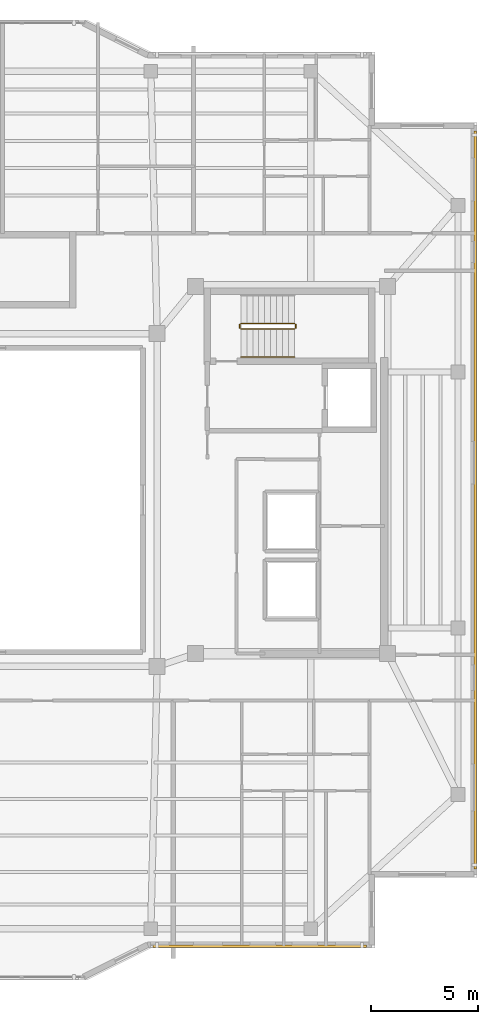
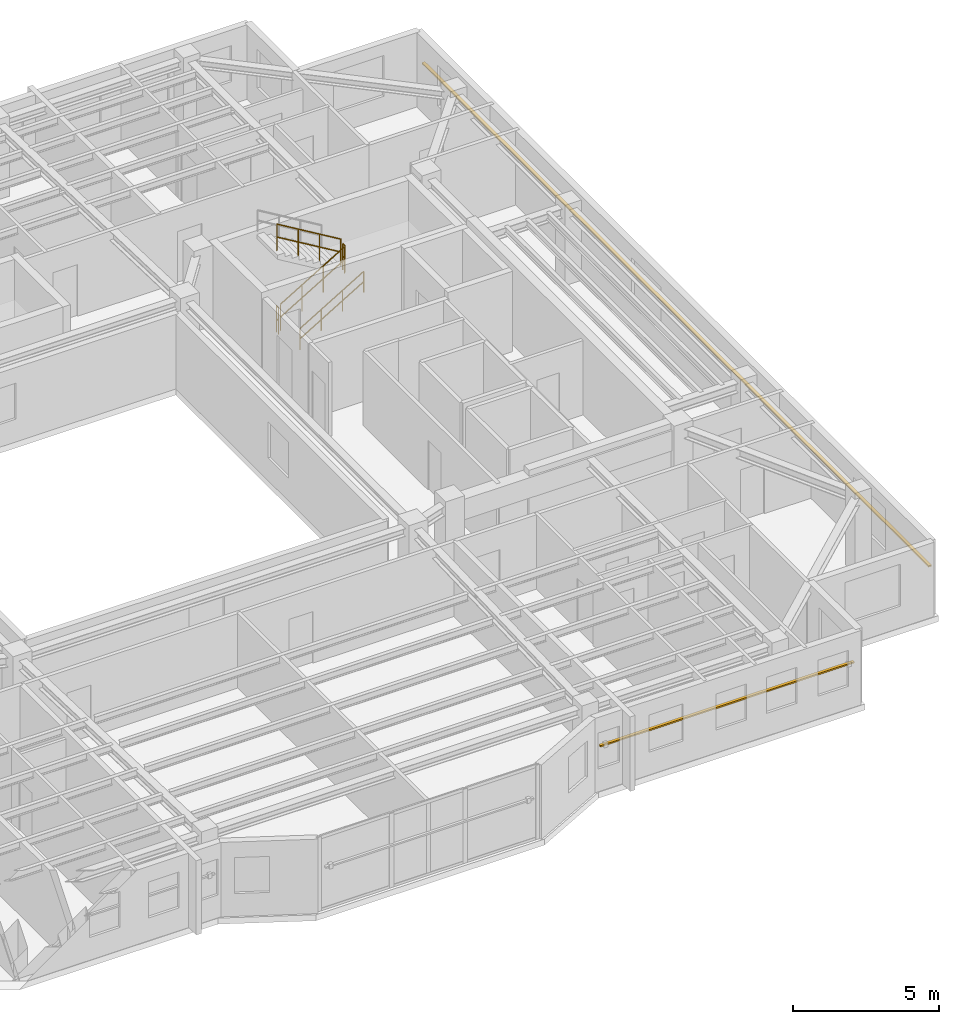
# One storey, part 13 of 14: 5 railings, 2 shading devices.
"""IFC4 building model written with IfcOpenShell, lengths in metres."""

from ifc_helpers import new_model, si_unit, direction, frame, origin, origin_2d, place, context, subcontext, project, spatial, rectangle, circle, extrude, material, material_profile, profile_set, type_object, element, save


model = new_model("IFC4")

# Units and contexts
model_context = context("Model", 3, precision=1e-05, world=origin(), true_north=direction((0.0, 1.0)))
body_context = subcontext(model_context, "Body", "Model", "MODEL_VIEW")
ifc_project = project(units=[si_unit("LENGTHUNIT", "METRE"), si_unit("AREAUNIT", "SQUARE_METRE"), si_unit("VOLUMEUNIT", "CUBIC_METRE"), si_unit("PLANEANGLEUNIT", "RADIAN"), si_unit("MASSUNIT", "GRAM", prefix="KILO")], contexts=[model_context])

# Site, building, storey
site_placement = place(None, origin())
site = spatial("IfcSite", under=ifc_project, at=site_placement, CompositionType="ELEMENT")
building_placement = place(site_placement, origin())
building = spatial("IfcBuilding", under=site, at=building_placement, Name="Tarnavaz Court Tower", CompositionType="ELEMENT")
storey_placement = place(building_placement, frame((0.0, 0.0, 254.89990234375)))
storey = spatial("IfcBuildingStorey", under=building, at=storey_placement, Name="L69", CompositionType="ELEMENT", Elevation=254.89990234375)

# Railings
ifc_material_1 = material(Name="Brushed Stainless Steel", Category="steel")
railing_type_1 = type_object("IfcRailingType", Name="RL-HANDRAIL-900", PredefinedType="HANDRAIL", material=ifc_material_1)
railing_1_placement = place(storey_placement, frame((11.719970703125, 6.699951171875, 0.16748046875)))
element("IfcRailing", 1, at=railing_1_placement, inside=storey, type_object=railing_type_1, Name="L69 ST-E1 stair handrail 1", PredefinedType="HANDRAIL", context=body_context, shape_type="SweptSolid", body=[
    extrude(circle(Radius=0.02392578125, at=origin_2d()), frame((0.0, 0.0, 0.8759765625), z_axis=(0.858159760407, 0.0, 0.513382728203), x_axis=(0.0, 1.0, 0.0)), (0.0, 0.0, 1.0), 2.9365234375),
    extrude(circle(Radius=0.02392578125, at=origin_2d()), frame((0.0, 0.0, 0.449951171875), z_axis=(0.858159760407, 0.0, 0.513382728203), x_axis=(0.0, 1.0, 0.0)), (0.0, 0.0, 1.0), 2.9365234375),
    extrude(circle(Radius=0.02099609375, at=origin_2d()), origin(), (0.0, 0.0, 1.0), 0.851806640625),
    extrude(circle(Radius=0.02099609375, at=origin_2d()), frame((0.840087890625, 0.0, 0.50244140625)), (0.0, 0.0, 1.0), 0.851806640625),
    extrude(circle(Radius=0.02099609375, at=origin_2d()), frame((1.679931640625, 0.0, 1.005126953125)), (0.0, 0.0, 1.0), 0.851806640625),
    extrude(circle(Radius=0.02099609375, at=origin_2d()), frame((2.52001953125, 0.0, 1.507568359375)), (0.0, 0.0, 1.0), 0.851806640625),
])
ifc_material_2 = material(Name="Galvanized Painted Tubular Steel", Category="steel")
railing_type_2 = type_object("IfcRailingType", Name="RL-STGUARD-1120", PredefinedType="GUARDRAIL", material=ifc_material_2)
railing_2_placement = place(storey_placement, frame((11.719970703125, 8.02001953125, 0.16748046875)))
element("IfcRailing", 2, at=railing_2_placement, inside=storey, type_object=railing_type_2, Name="L69 ST-E1 stair guard 1", PredefinedType="GUARDRAIL", context=body_context, shape_type="SweptSolid", body=[
    extrude(circle(Radius=0.02392578125, at=origin_2d()), frame((0.0, 0.0, 1.09619140625), z_axis=(0.858159760407, 0.0, 0.513382728203), x_axis=(0.0, 1.0, 0.0)), (0.0, 0.0, 1.0), 2.9365234375),
    extrude(circle(Radius=0.02392578125, at=origin_2d()), frame((0.0, 0.0, 0.56005859375), z_axis=(0.858159760407, 0.0, 0.513382728203), x_axis=(0.0, 1.0, 0.0)), (0.0, 0.0, 1.0), 2.9365234375),
    extrude(circle(Radius=0.02099609375, at=origin_2d()), origin(), (0.0, 0.0, 1.0), 1.072021484375),
    extrude(circle(Radius=0.02099609375, at=origin_2d()), frame((0.840087890625, 0.0, 0.50244140625)), (0.0, 0.0, 1.0), 1.072021484375),
    extrude(circle(Radius=0.02099609375, at=origin_2d()), frame((1.679931640625, 0.0, 1.005126953125)), (0.0, 0.0, 1.0), 1.072021484375),
    extrude(circle(Radius=0.02099609375, at=origin_2d()), frame((2.52001953125, 0.0, 1.507568359375)), (0.0, 0.0, 1.0), 1.072021484375),
])
railing_3_placement = place(storey_placement, frame((14.2900390625, 8.070068359375, 1.675048828125)))
element("IfcRailing", 3, at=railing_3_placement, inside=storey, type_object=railing_type_2, Name="L69 ST-E1 stair guard 2", PredefinedType="GUARDRAIL", context=body_context, shape_type="SweptSolid", body=[
    extrude(circle(Radius=0.02392578125, at=origin_2d()), frame((0.0, 0.0, 1.09619140625), z_axis=(0.0, 1.0, 0.0), x_axis=(-1.0, 0.0, 0.0)), (0.0, 0.0, 1.0), 0.14990234375),
    extrude(circle(Radius=0.02392578125, at=origin_2d()), frame((0.0, 0.0, 0.56005859375), z_axis=(0.0, 1.0, 0.0), x_axis=(-1.0, 0.0, 0.0)), (0.0, 0.0, 1.0), 0.14990234375),
    extrude(circle(Radius=0.02099609375, at=origin_2d()), origin(), (0.0, 0.0, 1.0), 1.072021484375),
    extrude(circle(Radius=0.02099609375, at=origin_2d()), frame((0.0, 0.14990234375, 0.0)), (0.0, 0.0, 1.0), 1.072021484375),
])
railing_4_placement = place(storey_placement, frame((14.239990234375, 8.27001953125, 1.842529296875)))
element("IfcRailing", 4, at=railing_4_placement, inside=storey, type_object=railing_type_2, Name="L69 ST-E1 stair guard 3", PredefinedType="GUARDRAIL", context=body_context, shape_type="SweptSolid", body=[
    extrude(circle(Radius=0.02392578125, at=origin_2d()), frame((0.0, 0.0, 1.09619140625), z_axis=(-0.858159760407, 0.0, 0.513382728203), x_axis=(0.0, -1.0, 0.0)), (0.0, 0.0, 1.0), 2.9365234375),
    extrude(circle(Radius=0.02392578125, at=origin_2d()), frame((0.0, 0.0, 0.56005859375), z_axis=(-0.858159760407, 0.0, 0.513382728203), x_axis=(0.0, -1.0, 0.0)), (0.0, 0.0, 1.0), 2.9365234375),
    extrude(circle(Radius=0.02099609375, at=origin_2d()), origin(), (0.0, 0.0, 1.0), 1.072021484375),
    extrude(circle(Radius=0.02099609375, at=origin_2d()), frame((-0.840087890625, 0.0, 0.50244140625)), (0.0, 0.0, 1.0), 1.072021484375),
    extrude(circle(Radius=0.02099609375, at=origin_2d()), frame((-1.679931640625, 0.0, 1.005126953125)), (0.0, 0.0, 1.0), 1.072021484375),
    extrude(circle(Radius=0.02099609375, at=origin_2d()), frame((-2.52001953125, 0.0, 1.507568359375)), (0.0, 0.0, 1.0), 1.072021484375),
])
railing_5_placement = place(storey_placement, frame((11.669921875, 8.070068359375, 0.0)))
element("IfcRailing", 5, at=railing_5_placement, inside=storey, type_object=railing_type_2, Name="L69 ST-E1 stair guard 4", PredefinedType="GUARDRAIL", context=body_context, shape_type="SweptSolid", body=[
    extrude(circle(Radius=0.02392578125, at=origin_2d()), frame((0.0, 0.0, 1.09619140625), z_axis=(0.0, 1.0, 0.0), x_axis=(-1.0, 0.0, 0.0)), (0.0, 0.0, 1.0), 0.14990234375),
    extrude(circle(Radius=0.02392578125, at=origin_2d()), frame((0.0, 0.0, 0.56005859375), z_axis=(0.0, 1.0, 0.0), x_axis=(-1.0, 0.0, 0.0)), (0.0, 0.0, 1.0), 0.14990234375),
    extrude(circle(Radius=0.02099609375, at=origin_2d()), origin(), (0.0, 0.0, 1.0), 1.072021484375),
    extrude(circle(Radius=0.02099609375, at=origin_2d()), frame((0.0, 0.14990234375, 0.0)), (0.0, 0.0, 1.0), 1.072021484375),
])

# Shading devices
ifc_material_3 = material(Name="Kiln-Fired Khorasan Terracotta Ceramic", Category="masonry")
ifc_material_profile = material_profile(ifc_material_3, rectangle(XDim=0.1201171875, YDim=0.06005859375, at=origin_2d()), Name="TC BAGUETTE 120X60")
ifc_profile_set = profile_set([ifc_material_profile], Name="Kiln-Fired Khorasan Terracotta Ceramic")
shading_device_type = type_object("IfcShadingDeviceType", Name="SD-BAG-120", PredefinedType="USERDEFINED", material=ifc_profile_set)
shading_device_1_placement = place(storey_placement, frame((22.7099609375, 17.300048828125, 1.85009765625), z_axis=(0.0, -1.0, 0.0), x_axis=(1.0, 0.0, 0.0)))
element("IfcShadingDevice", 6, at=shading_device_1_placement, inside=storey, type_object=shading_device_type, Name="L69 Terracotta Baguette Screen FBG12", ObjectType="BAGUETTE", PredefinedType="USERDEFINED", context=body_context, shape_type="SweptSolid", body=[
    extrude(rectangle(XDim=0.1201171875, YDim=0.06005859375, at=origin_2d()), origin(), (0.0, 0.0, 1.0), 34.60009765625),
])
shading_device_2_placement = place(storey_placement, frame((17.60009765625, -20.909912109375, 1.85009765625), z_axis=(-1.0, 0.0, 0.0), x_axis=(0.0, -1.0, 0.0)))
element("IfcShadingDevice", 7, at=shading_device_2_placement, inside=storey, type_object=shading_device_type, Name="L69 Terracotta Baguette Screen FBG15", ObjectType="BAGUETTE", PredefinedType="USERDEFINED", context=body_context, shape_type="SweptSolid", body=[
    extrude(rectangle(XDim=0.1201171875, YDim=0.06005859375, at=origin_2d()), origin(), (0.0, 0.0, 1.0), 10.0),
])

save(model, "model.ifc")
